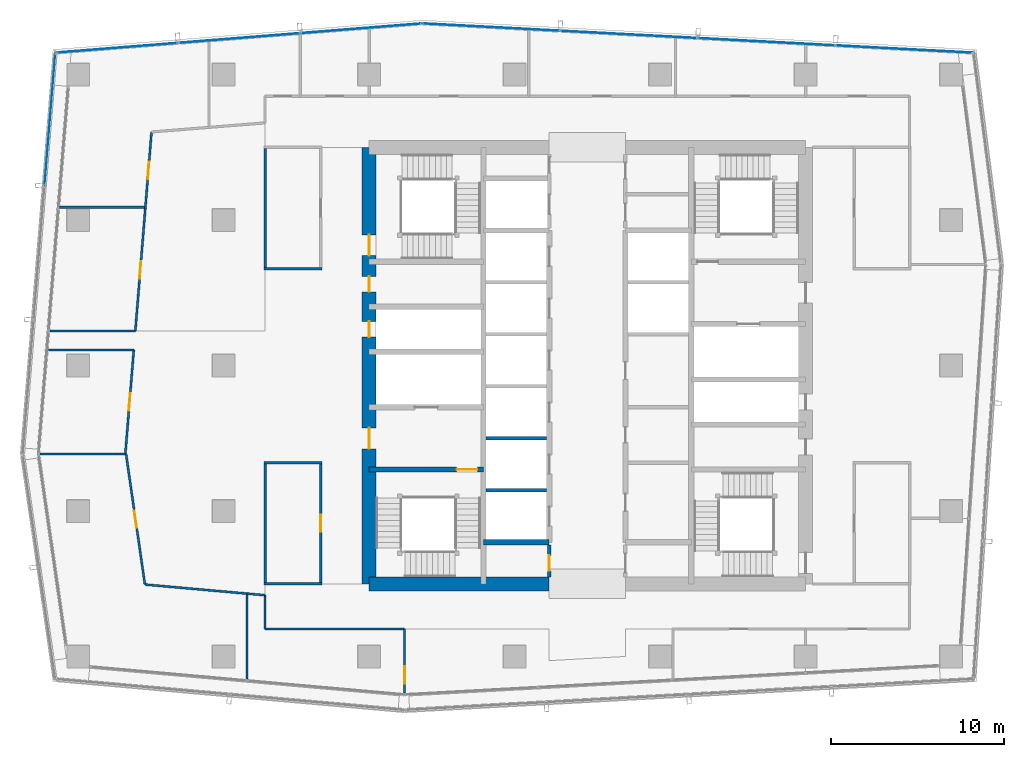
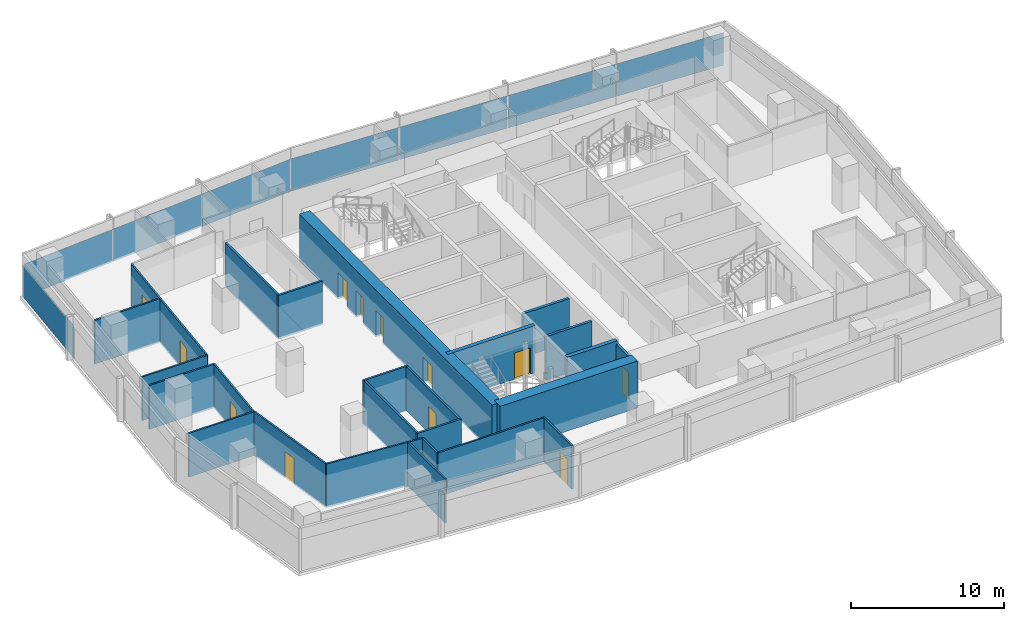
# One storey, part 22 of 29: 27 walls, 12 doors, 8 plates, 12 openings, 3 elements without a shape of their own.
"""IFC4 building model written with IfcOpenShell, lengths in metres."""

from ifc_helpers import new_model, si_unit, direction, frame, frame_2d, origin, origin_2d, place, context, subcontext, project, spatial, rectangle, extrude, material, layer, layer_set, type_object, element, fill, aggregate, save


model = new_model("IFC4")

# Units and contexts
model_context = context("Model", 3, precision=1e-05, world=origin(), true_north=direction((0.0, 1.0)))
body_context = subcontext(model_context, "Body", "Model", "MODEL_VIEW")
ifc_project = project(units=[si_unit("LENGTHUNIT", "METRE"), si_unit("AREAUNIT", "SQUARE_METRE"), si_unit("VOLUMEUNIT", "CUBIC_METRE"), si_unit("PLANEANGLEUNIT", "RADIAN"), si_unit("MASSUNIT", "GRAM", prefix="KILO")], contexts=[model_context])

# Site, building, storey
site_placement = place(None, origin())
site = spatial("IfcSite", under=ifc_project, at=site_placement, CompositionType="ELEMENT")
building_placement = place(site_placement, origin())
building = spatial("IfcBuilding", under=site, at=building_placement, Name="Rekha Terrace Tower", CompositionType="ELEMENT")
storey_placement = place(building_placement, frame((0.0, 0.0, 261.35009765625)))
storey = spatial("IfcBuildingStorey", under=building, at=storey_placement, Name="L66", CompositionType="ELEMENT", Elevation=261.35009765625)

# Curtain wall, plate
ifc_material_1 = material(Name="Aluminium framing", Category="aluminium")
curtain_wall_type_1 = type_object("IfcCurtainWallType", Name="CW2 double skin outer glazing", PredefinedType="USERDEFINED", material=ifc_material_1)
curtain_wall_1_placement = place(storey_placement, origin())
curtain_wall_1 = element("IfcCurtainWall", 1, at=curtain_wall_1_placement, inside=storey, type_object=curtain_wall_type_1, Name="CW2 double skin outer glazing", ObjectType="DOUBLE SKIN OUTER GLAZING", PredefinedType="USERDEFINED")
ifc_material_2 = material(Name="Toughened single glazing 12", Category="glass")
ifc_layer_1 = layer(ifc_material_2, 0.011962890625)
ifc_layer_set_1 = layer_set([ifc_layer_1], Name="Toughened single glazing 12")
plate_type_1 = type_object("IfcPlateType", Name="CW2 jumbo vision panel, toughened single glazing 12", PredefinedType="CURTAIN_PANEL", material=ifc_layer_set_1)
plate_1_placement = place(storey_placement, frame((6.7822265625, 47.813720703125, -0.000244140625), z_axis=(0.0, 0.0, 1.0), x_axis=(-0.081067906816, -0.996708580521, 0.0)))
plate_1 = element("IfcPlate", 2, at=plate_1_placement, type_object=plate_type_1, Name="CW2 panel 1.1", PredefinedType="CURTAIN_PANEL", context=body_context, shape_type="SweptSolid", body=[
    extrude(rectangle(XDim=7.640869140625, YDim=0.011962890625, at=origin_2d()), origin(), (0.0, 0.0, 1.0), 2.60009765625),
])
aggregate(curtain_wall_1, [plate_1])

# Curtain wall, plates
curtain_wall_type_2 = type_object("IfcCurtainWallType", Name="CW3 north unitised glazing", PredefinedType="USERDEFINED", material=ifc_material_1)
curtain_wall_2_placement = place(storey_placement, origin())
curtain_wall_2 = element("IfcCurtainWall", 3, at=curtain_wall_2_placement, inside=storey, type_object=curtain_wall_type_2, Name="CW3 unitised curtain wall", ObjectType="UNITISED CURTAIN WALL", PredefinedType="USERDEFINED")
ifc_material_3 = material(Name="Double-glazed unit 28", Category="glass")
ifc_layer_2 = layer(ifc_material_3, 0.028076171875)
ifc_layer_set_2 = layer_set([ifc_layer_2], Name="Double-glazed unit 28")
plate_type_2 = type_object("IfcPlateType", Name="CW3 jumbo vision panel, double-glazed unit 28", PredefinedType="CURTAIN_PANEL", material=ifc_layer_set_2)
plate_2_placement = place(storey_placement, frame((56.080322265625, 51.871337890625, -0.000244140625), z_axis=(0.0, 0.0, 1.0), x_axis=(-0.998590089005, 0.053083275524, 0.0)))
plate_2 = element("IfcPlate", 4, at=plate_2_placement, type_object=plate_type_2, Name="CW3 panel 1.1", PredefinedType="CURTAIN_PANEL", context=body_context, shape_type="SweptSolid", body=[
    extrude(rectangle(XDim=7.856201171875, YDim=0.028076171875, at=origin_2d()), origin(), (0.0, 0.0, 1.0), 2.60009765625),
])
plate_3_placement = place(storey_placement, frame((48.14794921875, 52.29296875, -0.000244140625), z_axis=(0.0, 0.0, 1.0), x_axis=(-0.998590089005, 0.053083275524, 0.0)))
plate_3 = element("IfcPlate", 5, at=plate_3_placement, type_object=plate_type_2, Name="CW3 panel 2.1", PredefinedType="CURTAIN_PANEL", context=body_context, shape_type="SweptSolid", body=[
    extrude(rectangle(XDim=7.891357421875, YDim=0.028076171875, at=origin_2d()), origin(), (0.0, 0.0, 1.0), 2.60009765625),
])
plate_4_placement = place(storey_placement, frame((40.19775390625, 52.715576171875, -0.000244140625), z_axis=(0.0, 0.0, 1.0), x_axis=(-0.998590089005, 0.053083275524, 0.0)))
plate_4 = element("IfcPlate", 6, at=plate_4_placement, type_object=plate_type_2, Name="CW3 panel 3.1", PredefinedType="CURTAIN_PANEL", context=body_context, shape_type="SweptSolid", body=[
    extrude(rectangle(XDim=7.891357421875, YDim=0.028076171875, at=origin_2d()), origin(), (0.0, 0.0, 1.0), 2.60009765625),
])
plate_5_placement = place(storey_placement, frame((32.230224609375, 53.13916015625, -0.000244140625), z_axis=(0.0, 0.0, 1.0), x_axis=(-0.998590089005, 0.053083275524, 0.0)))
plate_5 = element("IfcPlate", 7, at=plate_5_placement, type_object=plate_type_2, Name="CW3 panel 4.1", PredefinedType="CURTAIN_PANEL", context=body_context, shape_type="SweptSolid", body=[
    extrude(rectangle(XDim=7.92626953125, YDim=0.028076171875, at=origin_2d()), origin(), (0.0, 0.0, 1.0), 2.60009765625),
])
aggregate(curtain_wall_2, [plate_2, plate_3, plate_4, plate_5])

curtain_wall_3_placement = place(storey_placement, origin())
curtain_wall_3 = element("IfcCurtainWall", 8, at=curtain_wall_3_placement, inside=storey, type_object=curtain_wall_type_2, Name="CW3 unitised curtain wall", ObjectType="UNITISED CURTAIN WALL", PredefinedType="USERDEFINED")
plate_6_placement = place(storey_placement, frame((24.732421875, 53.0673828125, -0.000244140625), z_axis=(0.0, 0.0, 1.0), x_axis=(-0.996836058026, -0.07948505154, 0.0)))
plate_6 = element("IfcPlate", 9, at=plate_6_placement, type_object=plate_type_2, Name="CW3 panel 1.1", PredefinedType="CURTAIN_PANEL", context=body_context, shape_type="SweptSolid", body=[
    extrude(rectangle(XDim=6.963134765625, YDim=0.028076171875, at=origin_2d()), origin(), (0.0, 0.0, 1.0), 2.60009765625),
])
plate_7_placement = place(storey_placement, frame((17.7041015625, 52.5068359375, -0.000244140625), z_axis=(0.0, 0.0, 1.0), x_axis=(-0.996836058026, -0.07948505154, 0.0)))
plate_7 = element("IfcPlate", 10, at=plate_7_placement, type_object=plate_type_2, Name="CW3 panel 2.1", PredefinedType="CURTAIN_PANEL", context=body_context, shape_type="SweptSolid", body=[
    extrude(rectangle(XDim=6.998046875, YDim=0.028076171875, at=origin_2d()), origin(), (0.0, 0.0, 1.0), 2.60009765625),
])
plate_8_placement = place(storey_placement, frame((10.67578125, 51.946533203125, -0.000244140625), z_axis=(0.0, 0.0, 1.0), x_axis=(-0.996836058026, -0.07948505154, 0.0)))
plate_8 = element("IfcPlate", 11, at=plate_8_placement, type_object=plate_type_2, Name="CW3 panel 3.1", PredefinedType="CURTAIN_PANEL", context=body_context, shape_type="SweptSolid", body=[
    extrude(rectangle(XDim=6.963134765625, YDim=0.028076171875, at=origin_2d()), origin(), (0.0, 0.0, 1.0), 2.60009765625),
])
aggregate(curtain_wall_3, [plate_6, plate_7, plate_8])

# Wall
ifc_material_4 = material(Name="Concrete M60", Category="concrete")
ifc_layer_3 = layer(ifc_material_4, 0.300048828125)
ifc_layer_set_3 = layer_set([ifc_layer_3], Name="Concrete M60")
wall_type_1 = type_object("IfcWallType", Name="CI5 300 core internal shear wall", PredefinedType="SHEAR", material=ifc_layer_set_3)
wall_1_placement = place(storey_placement, frame((31.800048828125, 23.39990234375, 0.0), z_axis=(0.0, 0.0, 1.0), x_axis=(1.0, 0.0, 0.0)))
element("IfcWall", 12, at=wall_1_placement, inside=storey, type_object=wall_type_1, Name="Core wall Y234W L66", PredefinedType="SHEAR", context=body_context, shape_type="SweptSolid", body=[
    extrude(rectangle(XDim=3.800048828125, YDim=0.300048828125, at=frame_2d((1.89990234375, 0.0))), origin(), (0.0, 0.0, 1.0), 3.75),
])

# Wall, opening, door
wall_2_placement = place(storey_placement, frame((25.199951171875, 27.60009765625, 0.0), z_axis=(0.0, 0.0, 1.0), x_axis=(1.0, 0.0, 0.0)))
wall_2 = element("IfcWall", 13, at=wall_2_placement, inside=storey, type_object=wall_type_1, Name="Core wall Y276W L66", PredefinedType="SHEAR", context=body_context, shape_type="SweptSolid", body=[
    extrude(rectangle(XDim=6.60009765625, YDim=0.300048828125, at=frame_2d((3.300048828125, 0.0))), origin(), (0.0, 0.0, 1.0), 3.75),
])
opening_1_placement = place(wall_2_placement, frame((5.050048828125, 0.0, 0.0)))
opening_1 = element("IfcOpeningElement", 14, at=opening_1_placement, cuts=wall_2, Name="Opening D1", PredefinedType="OPENING", context=body_context, shape_type="SweptSolid", body=[
    extrude(rectangle(XDim=1.199951171875, YDim=2.10009765625, at=frame_2d((0.60009765625, 1.050048828125))), frame((0.0, 0.159912109375, 0.0), z_axis=(0.0, -1.0, 0.0), x_axis=(1.0, 0.0, 0.0)), (0.0, 0.0, 1.0), 0.320068359375),
])
ifc_material_5 = material(Name="Steel fire door", Category="steel")
door_type_1 = type_object("IfcDoorType", Name="D1 1200x2100 stair fire door", OperationType="SINGLE_SWING_RIGHT", PredefinedType="DOOR", material=ifc_material_5)
door_1_placement = place(opening_1_placement, origin())
door_1 = element("IfcDoor", 15, at=door_1_placement, inside=storey, type_object=door_type_1, Name="Stair ST1 door L66", OperationType="SINGLE_SWING_RIGHT", OverallHeight=2.10009765625, OverallWidth=1.199951171875, PredefinedType="DOOR", context=body_context, shape_type="SweptSolid", body=[
    extrude(rectangle(XDim=1.199951171875, YDim=2.10009765625, at=frame_2d((0.60009765625, 1.050048828125))), frame((0.0, 0.02490234375, 0.0), z_axis=(0.0, -1.0, 0.0), x_axis=(1.0, 0.0, 0.0)), (0.0, 0.0, 1.0), 0.050048828125),
])
fill(opening_1, door_1)

# Wall
ifc_layer_4 = layer(ifc_material_4, 0.800048828125)
ifc_layer_set_4 = layer_set([ifc_layer_4], Name="Concrete M60")
wall_type_2 = type_object("IfcWallType", Name="SW5 800 core outer shear wall", PredefinedType="SHEAR", material=ifc_layer_set_4)
wall_3_placement = place(storey_placement, frame((25.199951171875, 21.0, 0.0), z_axis=(0.0, 0.0, 1.0), x_axis=(1.0, 0.0, 0.0)))
element("IfcWall", 16, at=wall_3_placement, inside=storey, type_object=wall_type_2, Name="Core wall S1 L66", PredefinedType="SHEAR", context=body_context, shape_type="SweptSolid", body=[
    extrude(rectangle(XDim=10.400146484375, YDim=0.800048828125, at=frame_2d((5.2001953125, 0.0))), origin(), (0.0, 0.0, 1.0), 3.75),
])

# Wall, openings, doors
wall_4_placement = place(storey_placement, frame((25.199951171875, 21.0, 0.0), z_axis=(0.0, 0.0, 1.0), x_axis=(0.0, 1.0, 0.0)))
wall_4 = element("IfcWall", 17, at=wall_4_placement, inside=storey, type_object=wall_type_2, Name="Core wall W L66", PredefinedType="SHEAR", context=body_context, shape_type="SweptSolid", body=[
    extrude(rectangle(XDim=25.199951171875, YDim=0.800048828125, at=frame_2d((12.60009765625, 0.0))), origin(), (0.0, 0.0, 1.0), 3.75),
])
opening_2_placement = place(wall_4_placement, frame((7.800048828125, 0.0, 0.0)))
opening_2 = element("IfcOpeningElement", 18, at=opening_2_placement, cuts=wall_4, Name="Opening D2", PredefinedType="OPENING", context=body_context, shape_type="SweptSolid", body=[
    extrude(rectangle(XDim=1.199951171875, YDim=2.10009765625, at=frame_2d((0.60009765625, 1.050048828125))), frame((0.0, 0.409912109375, 0.0), z_axis=(0.0, -1.0, 0.0), x_axis=(1.0, 0.0, 0.0)), (0.0, 0.0, 1.0), 0.820068359375),
])
opening_3_placement = place(wall_4_placement, frame((14.25, 0.0, 0.0)))
opening_3 = element("IfcOpeningElement", 19, at=opening_3_placement, cuts=wall_4, Name="Opening D5", PredefinedType="OPENING", context=body_context, shape_type="SweptSolid", body=[
    extrude(rectangle(XDim=0.89990234375, YDim=2.10009765625, at=frame_2d((0.449951171875, 1.050048828125))), frame((0.0, 0.409912109375, 0.0), z_axis=(0.0, -1.0, 0.0), x_axis=(1.0, 0.0, 0.0)), (0.0, 0.0, 1.0), 0.820068359375),
])
opening_4_placement = place(wall_4_placement, frame((16.85009765625, 0.0, 0.0)))
opening_4 = element("IfcOpeningElement", 20, at=opening_4_placement, cuts=wall_4, Name="Opening D5", PredefinedType="OPENING", context=body_context, shape_type="SweptSolid", body=[
    extrude(rectangle(XDim=0.89990234375, YDim=2.10009765625, at=frame_2d((0.449951171875, 1.050048828125))), frame((0.0, 0.409912109375, 0.0), z_axis=(0.0, -1.0, 0.0), x_axis=(1.0, 0.0, 0.0)), (0.0, 0.0, 1.0), 0.820068359375),
])
opening_5_placement = place(wall_4_placement, frame((18.949951171875, 0.0, 0.0)))
opening_5 = element("IfcOpeningElement", 21, at=opening_5_placement, cuts=wall_4, Name="Opening D1", PredefinedType="OPENING", context=body_context, shape_type="SweptSolid", body=[
    extrude(rectangle(XDim=1.199951171875, YDim=2.10009765625, at=frame_2d((0.60009765625, 1.050048828125))), frame((0.0, 0.409912109375, 0.0), z_axis=(0.0, -1.0, 0.0), x_axis=(1.0, 0.0, 0.0)), (0.0, 0.0, 1.0), 0.820068359375),
])
door_2_placement = place(opening_5_placement, origin())
door_2 = element("IfcDoor", 22, at=door_2_placement, inside=storey, type_object=door_type_1, Name="Stair ST4 door L66", OperationType="SINGLE_SWING_RIGHT", OverallHeight=2.10009765625, OverallWidth=1.199951171875, PredefinedType="DOOR", context=body_context, shape_type="SweptSolid", body=[
    extrude(rectangle(XDim=1.199951171875, YDim=2.10009765625, at=frame_2d((0.60009765625, 1.050048828125))), frame((0.0, 0.02490234375, 0.0), z_axis=(0.0, -1.0, 0.0), x_axis=(1.0, 0.0, 0.0)), (0.0, 0.0, 1.0), 0.050048828125),
])
fill(opening_5, door_2)
door_type_2 = type_object("IfcDoorType", Name="D2 1200x2100 firefighting lobby door", OperationType="SINGLE_SWING_LEFT", PredefinedType="DOOR", material=ifc_material_5)
door_3_placement = place(opening_2_placement, origin())
door_3 = element("IfcDoor", 23, at=door_3_placement, inside=storey, type_object=door_type_2, Name="Door flb1 L66", OperationType="SINGLE_SWING_LEFT", OverallHeight=2.10009765625, OverallWidth=1.199951171875, PredefinedType="DOOR", context=body_context, shape_type="SweptSolid", body=[
    extrude(rectangle(XDim=1.199951171875, YDim=2.10009765625, at=frame_2d((0.60009765625, 1.050048828125))), frame((0.0, 0.02490234375, 0.0), z_axis=(0.0, -1.0, 0.0), x_axis=(1.0, 0.0, 0.0)), (0.0, 0.0, 1.0), 0.050048828125),
])
fill(opening_2, door_3)
door_type_3 = type_object("IfcDoorType", Name="D5 900x2100 riser access door", OperationType="SINGLE_SWING_LEFT", PredefinedType="DOOR", material=ifc_material_5)
door_4_placement = place(opening_3_placement, origin())
door_4 = element("IfcDoor", 24, at=door_4_placement, inside=storey, type_object=door_type_3, Name="Door rs1 L66", OperationType="SINGLE_SWING_LEFT", OverallHeight=2.10009765625, OverallWidth=0.89990234375, PredefinedType="DOOR", context=body_context, shape_type="SweptSolid", body=[
    extrude(rectangle(XDim=0.89990234375, YDim=2.10009765625, at=frame_2d((0.449951171875, 1.050048828125))), frame((0.0, 0.02490234375, 0.0), z_axis=(0.0, -1.0, 0.0), x_axis=(1.0, 0.0, 0.0)), (0.0, 0.0, 1.0), 0.050048828125),
])
fill(opening_3, door_4)
door_5_placement = place(opening_4_placement, origin())
door_5 = element("IfcDoor", 25, at=door_5_placement, inside=storey, type_object=door_type_3, Name="Door elw L66", OperationType="SINGLE_SWING_LEFT", OverallHeight=2.10009765625, OverallWidth=0.89990234375, PredefinedType="DOOR", context=body_context, shape_type="SweptSolid", body=[
    extrude(rectangle(XDim=0.89990234375, YDim=2.10009765625, at=frame_2d((0.449951171875, 1.050048828125))), frame((0.0, 0.02490234375, 0.0), z_axis=(0.0, -1.0, 0.0), x_axis=(1.0, 0.0, 0.0)), (0.0, 0.0, 1.0), 0.050048828125),
])
fill(opening_4, door_5)

# Walls
ifc_material_6 = material(Name="Concrete block masonry, 1 hour", Category="masonry")
ifc_layer_5 = layer(ifc_material_6, 0.14990234375)
ifc_layer_set_5 = layer_set([ifc_layer_5], Name="Concrete block masonry, 1 hour")
wall_type_3 = type_object("IfcWallType", Name="WP2 150 tenancy partition", PredefinedType="PARTITIONING", material=ifc_layer_set_5)
wall_5_placement = place(storey_placement, frame((19.125, 39.199951171875, 0.0), z_axis=(0.0, 0.0, 1.0), x_axis=(1.0, 0.0, 0.0)))
element("IfcWall", 26, at=wall_5_placement, inside=storey, type_object=wall_type_3, Name="Women's WC wall L66", PredefinedType="PARTITIONING", context=body_context, shape_type="SweptSolid", body=[
    extrude(rectangle(XDim=3.35009765625, YDim=0.14990234375, at=frame_2d((1.675048828125, 0.0))), origin(), (0.0, 0.0, 1.0), 3.5),
])
wall_6_placement = place(storey_placement, frame((19.199951171875, 39.27490234375, 0.0), z_axis=(0.0, 0.0, 1.0), x_axis=(0.0, 1.0, 0.0)))
element("IfcWall", 27, at=wall_6_placement, inside=storey, type_object=wall_type_3, Name="Women's WC wall L66", PredefinedType="PARTITIONING", context=body_context, shape_type="SweptSolid", body=[
    extrude(rectangle(XDim=6.85009765625, YDim=0.14990234375, at=frame_2d((3.425048828125, 0.0))), origin(), (0.0, 0.0, 1.0), 3.5),
])
for number, where, z_axis, x_axis, name in (
    (28, (19.125, 21.0, 0.0), (0.0, 0.0, 1.0), (1.0, 0.0, 0.0), "Men's WC wall L66"),
    (29, (19.125, 28.0, 0.0), (0.0, 0.0, 1.0), (1.0, 0.0, 0.0), "Men's WC wall L66"),
):
    element("IfcWall", number, at=place(storey_placement, frame(where, z_axis=z_axis, x_axis=x_axis)), inside=storey, type_object=wall_type_3, Name=name, PredefinedType="PARTITIONING", context=body_context, shape_type="SweptSolid", body=[
        extrude(rectangle(XDim=3.35009765625, YDim=0.14990234375, at=frame_2d((1.675048828125, 0.0))), origin(), (0.0, 0.0, 1.0), 3.5),
    ])
wall_7_placement = place(storey_placement, frame((19.199951171875, 21.074951171875, 0.0), z_axis=(0.0, 0.0, 1.0), x_axis=(0.0, 1.0, 0.0)))
element("IfcWall", 30, at=wall_7_placement, inside=storey, type_object=wall_type_3, Name="Men's WC wall L66", PredefinedType="PARTITIONING", context=body_context, shape_type="SweptSolid", body=[
    extrude(rectangle(XDim=6.85009765625, YDim=0.14990234375, at=frame_2d((3.425048828125, 0.0))), origin(), (0.0, 0.0, 1.0), 3.5),
])

# Wall, opening, door
wall_8_placement = place(storey_placement, frame((22.39990234375, 21.074951171875, 0.0), z_axis=(0.0, 0.0, 1.0), x_axis=(0.0, 1.0, 0.0)))
wall_8 = element("IfcWall", 31, at=wall_8_placement, inside=storey, type_object=wall_type_3, Name="Men's WC wall L66", PredefinedType="PARTITIONING", context=body_context, shape_type="SweptSolid", body=[
    extrude(rectangle(XDim=6.85009765625, YDim=0.14990234375, at=frame_2d((3.425048828125, 0.0))), origin(), (0.0, 0.0, 1.0), 3.5),
])
opening_6_placement = place(wall_8_placement, frame((2.925048828125, 0.0, 0.0)))
opening_6 = element("IfcOpeningElement", 32, at=opening_6_placement, cuts=wall_8, Name="Opening D3", PredefinedType="OPENING", context=body_context, shape_type="SweptSolid", body=[
    extrude(rectangle(XDim=1.0, YDim=2.10009765625, at=frame_2d((0.5, 1.050048828125))), frame((0.0, 0.0849609375, 0.0), z_axis=(0.0, -1.0, 0.0), x_axis=(1.0, 0.0, 0.0)), (0.0, 0.0, 1.0), 0.169921875),
])
ifc_material_7 = material(Name="Laminated timber fire door", Category="wood")
door_type_4 = type_object("IfcDoorType", Name="D3 1000x2100 WC door", OperationType="SINGLE_SWING_LEFT", PredefinedType="DOOR", material=ifc_material_7)
door_6_placement = place(opening_6_placement, origin())
door_6 = element("IfcDoor", 33, at=door_6_placement, inside=storey, type_object=door_type_4, Name="Door men's wc L66", OperationType="SINGLE_SWING_LEFT", OverallHeight=2.10009765625, OverallWidth=1.0, PredefinedType="DOOR", context=body_context, shape_type="SweptSolid", body=[
    extrude(rectangle(XDim=1.0, YDim=2.10009765625, at=frame_2d((0.5, 1.050048828125))), frame((0.0, 0.02490234375, 0.0), z_axis=(0.0, -1.0, 0.0), x_axis=(1.0, 0.0, 0.0)), (0.0, 0.0, 1.0), 0.050048828125),
])
fill(opening_6, door_6)

# Wall
ifc_material_8 = material(Name="Two layers of fire-rated gypsum board each side on steel studs, acoustic quilt, 1 hour", Category="steel")
ifc_layer_6 = layer(ifc_material_8, 0.125)
ifc_layer_set_6 = layer_set([ifc_layer_6], Name="Two layers of fire-rated gypsum board each side on steel studs, acoustic quilt, 1 hour")
wall_type_4 = type_object("IfcWallType", Name="WP3 125 office partition", PredefinedType="PARTITIONING", material=ifc_layer_set_6)
wall_9_placement = place(storey_placement, frame((12.22607421875, 42.741943359375, 0.0), z_axis=(0.0, 0.0, 1.0), x_axis=(-1.0, 0.0, 0.0)))
element("IfcWall", 34, at=wall_9_placement, inside=storey, type_object=wall_type_4, Name="Partition L66-12", PredefinedType="PARTITIONING", context=body_context, shape_type="SweptSolid", body=[
    extrude(rectangle(XDim=4.903076171875, YDim=0.125, at=frame_2d((2.45166015625, 0.0))), origin(), (0.0, 0.0, 1.0), 3.5),
])

# Wall, opening, door
wall_10_placement = place(storey_placement, frame((12.64306640625, 47.0869140625, 0.0), z_axis=(0.0, 0.0, 1.0), x_axis=(-0.081240627764, -0.996694517092, 0.0)))
wall_10 = element("IfcWall", 35, at=wall_10_placement, inside=storey, type_object=wall_type_4, Name="Partition L66-12", PredefinedType="PARTITIONING", context=body_context, shape_type="SweptSolid", body=[
    extrude(rectangle(XDim=4.444580078125, YDim=0.125, at=frame_2d((2.22216796875, 0.0))), origin(), (0.0, 0.0, 1.0), 3.5),
])
opening_7_placement = place(wall_10_placement, frame((1.721923828125, 0.0, 0.0)))
opening_7 = element("IfcOpeningElement", 36, at=opening_7_placement, cuts=wall_10, Name="Opening D9", PredefinedType="OPENING", context=body_context, shape_type="SweptSolid", body=[
    extrude(rectangle(XDim=1.0, YDim=2.10009765625, at=frame_2d((0.5, 1.050048828125))), frame((0.0, 0.072509765625, 0.0), z_axis=(0.0, -1.0, 0.0), x_axis=(1.0, 0.0, 0.0)), (0.0, 0.0, 1.0), 0.14501953125),
])
ifc_material_9 = material(Name="Timber fire door", Category="wood")
door_type_5 = type_object("IfcDoorType", Name="D9 1000x2100 office door", OperationType="SINGLE_SWING_LEFT", PredefinedType="DOOR", material=ifc_material_9)
door_7_placement = place(opening_7_placement, origin())
door_7 = element("IfcDoor", 37, at=door_7_placement, inside=storey, type_object=door_type_5, Name="Door director's office L66", OperationType="SINGLE_SWING_LEFT", OverallHeight=2.10009765625, OverallWidth=1.0, PredefinedType="DOOR", context=body_context, shape_type="SweptSolid", body=[
    extrude(rectangle(XDim=1.0, YDim=2.10009765625, at=frame_2d((0.5, 1.050048828125))), frame((0.0, 0.02490234375, 0.0), z_axis=(0.0, -1.0, 0.0), x_axis=(1.0, 0.0, 0.0)), (0.0, 0.0, 1.0), 0.050048828125),
])
fill(opening_7, door_7)

wall_11_placement = place(storey_placement, frame((12.281982421875, 42.656005859375, 0.0), z_axis=(0.0, 0.0, 1.0), x_axis=(-0.08110159124, -0.996705840205, 0.0)))
wall_11 = element("IfcWall", 38, at=wall_11_placement, inside=storey, type_object=wall_type_4, Name="Partition L66-13", PredefinedType="PARTITIONING", context=body_context, shape_type="SweptSolid", body=[
    extrude(rectangle(XDim=7.08935546875, YDim=0.125, at=frame_2d((3.544677734375, 0.0))), origin(), (0.0, 0.0, 1.0), 3.5),
])
opening_8_placement = place(wall_11_placement, frame((3.044921875, 0.0, 0.0)))
opening_8 = element("IfcOpeningElement", 39, at=opening_8_placement, cuts=wall_11, Name="Opening D9", PredefinedType="OPENING", context=body_context, shape_type="SweptSolid", body=[
    extrude(rectangle(XDim=1.0, YDim=2.10009765625, at=frame_2d((0.5, 1.050048828125))), frame((0.0, 0.072509765625, 0.0), z_axis=(0.0, -1.0, 0.0), x_axis=(1.0, 0.0, 0.0)), (0.0, 0.0, 1.0), 0.14501953125),
])
door_8_placement = place(opening_8_placement, origin())
door_8 = element("IfcDoor", 40, at=door_8_placement, inside=storey, type_object=door_type_5, Name="Door breakout lounge L66", OperationType="SINGLE_SWING_LEFT", OverallHeight=2.10009765625, OverallWidth=1.0, PredefinedType="DOOR", context=body_context, shape_type="SweptSolid", body=[
    extrude(rectangle(XDim=1.0, YDim=2.10009765625, at=frame_2d((0.5, 1.050048828125))), frame((0.0, 0.02490234375, 0.0), z_axis=(0.0, -1.0, 0.0), x_axis=(1.0, 0.0, 0.0)), (0.0, 0.0, 1.0), 0.050048828125),
])
fill(opening_8, door_8)

# Walls
wall_12_placement = place(storey_placement, frame((11.70703125, 35.590087890625, 0.0), z_axis=(0.0, 0.0, 1.0), x_axis=(-1.0, 0.0, 0.0)))
element("IfcWall", 41, at=wall_12_placement, inside=storey, type_object=wall_type_4, Name="Partition L66-13", PredefinedType="PARTITIONING", context=body_context, shape_type="SweptSolid", body=[
    extrude(rectangle(XDim=4.93603515625, YDim=0.125, at=frame_2d((2.468017578125, 0.0))), origin(), (0.0, 0.0, 1.0), 3.5),
])
wall_13_placement = place(storey_placement, frame((6.68310546875, 34.509033203125, 0.0), z_axis=(0.0, 0.0, 1.0), x_axis=(1.0, 0.0, 0.0)))
element("IfcWall", 42, at=wall_13_placement, inside=storey, type_object=wall_type_4, Name="Partition L66-14", PredefinedType="PARTITIONING", context=body_context, shape_type="SweptSolid", body=[
    extrude(rectangle(XDim=4.935791015625, YDim=0.125, at=frame_2d((2.4677734375, 0.0))), origin(), (0.0, 0.0, 1.0), 3.5),
])

# Wall, opening, door
wall_14_placement = place(storey_placement, frame((11.618896484375, 34.509033203125, 0.0), z_axis=(0.0, 0.0, 1.0), x_axis=(-0.081003722278, -0.99671379893, 0.0)))
wall_14 = element("IfcWall", 43, at=wall_14_placement, inside=storey, type_object=wall_type_4, Name="Partition L66-14", PredefinedType="PARTITIONING", context=body_context, shape_type="SweptSolid", body=[
    extrude(rectangle(XDim=6.036865234375, YDim=0.125, at=frame_2d((3.0185546875, 0.0))), origin(), (0.0, 0.0, 1.0), 3.5),
])
opening_9_placement = place(wall_14_placement, frame((2.51806640625, 0.0, 0.0)))
opening_9 = element("IfcOpeningElement", 44, at=opening_9_placement, cuts=wall_14, Name="Opening D9", PredefinedType="OPENING", context=body_context, shape_type="SweptSolid", body=[
    extrude(rectangle(XDim=1.0, YDim=2.10009765625, at=frame_2d((0.5, 1.050048828125))), frame((0.0, 0.072509765625, 0.0), z_axis=(0.0, -1.0, 0.0), x_axis=(1.0, 0.0, 0.0)), (0.0, 0.0, 1.0), 0.14501953125),
])
door_9_placement = place(opening_9_placement, origin())
door_9 = element("IfcDoor", 45, at=door_9_placement, inside=storey, type_object=door_type_5, Name="Door meeting room L66", OperationType="SINGLE_SWING_LEFT", OverallHeight=2.10009765625, OverallWidth=1.0, PredefinedType="DOOR", context=body_context, shape_type="SweptSolid", body=[
    extrude(rectangle(XDim=1.0, YDim=2.10009765625, at=frame_2d((0.5, 1.050048828125))), frame((0.0, 0.02490234375, 0.0), z_axis=(0.0, -1.0, 0.0), x_axis=(1.0, 0.0, 0.0)), (0.0, 0.0, 1.0), 0.050048828125),
])
fill(opening_9, door_9)

# Wall
wall_15_placement = place(storey_placement, frame((11.1298828125, 28.491943359375, 0.0), z_axis=(0.0, 0.0, 1.0), x_axis=(-1.0, 0.0, 0.0)))
element("IfcWall", 46, at=wall_15_placement, inside=storey, type_object=wall_type_4, Name="Partition L66-14", PredefinedType="PARTITIONING", context=body_context, shape_type="SweptSolid", body=[
    extrude(rectangle(XDim=4.928955078125, YDim=0.125, at=frame_2d((2.46435546875, 0.0))), origin(), (0.0, 0.0, 1.0), 3.5),
])

# Wall, opening, door
wall_16_placement = place(storey_placement, frame((11.173095703125, 28.488037109375, 0.0), z_axis=(0.0, 0.0, 1.0), x_axis=(0.143061748966, -0.989713764673, 0.0)))
wall_16 = element("IfcWall", 47, at=wall_16_placement, inside=storey, type_object=wall_type_4, Name="Partition L66-15", PredefinedType="PARTITIONING", context=body_context, shape_type="SweptSolid", body=[
    extrude(rectangle(XDim=7.604248046875, YDim=0.125, at=frame_2d((3.80224609375, 0.0))), origin(), (0.0, 0.0, 1.0), 3.5),
])
opening_10_placement = place(wall_16_placement, frame((3.301025390625, 0.0, 0.0)))
opening_10 = element("IfcOpeningElement", 48, at=opening_10_placement, cuts=wall_16, Name="Opening D9", PredefinedType="OPENING", context=body_context, shape_type="SweptSolid", body=[
    extrude(rectangle(XDim=1.0, YDim=2.10009765625, at=frame_2d((0.5, 1.050048828125))), frame((0.0, 0.072509765625, 0.0), z_axis=(0.0, -1.0, 0.0), x_axis=(1.0, 0.0, 0.0)), (0.0, 0.0, 1.0), 0.14501953125),
])
door_10_placement = place(opening_10_placement, origin())
door_10 = element("IfcDoor", 49, at=door_10_placement, inside=storey, type_object=door_type_5, Name="Door director's office L66", OperationType="SINGLE_SWING_LEFT", OverallHeight=2.10009765625, OverallWidth=1.0, PredefinedType="DOOR", context=body_context, shape_type="SweptSolid", body=[
    extrude(rectangle(XDim=1.0, YDim=2.10009765625, at=frame_2d((0.5, 1.050048828125))), frame((0.0, 0.02490234375, 0.0), z_axis=(0.0, -1.0, 0.0), x_axis=(1.0, 0.0, 0.0)), (0.0, 0.0, 1.0), 0.050048828125),
])
fill(opening_10, door_10)

# Walls
wall_17_placement = place(storey_placement, frame((12.260986328125, 20.9619140625, 0.0), z_axis=(0.0, 0.0, 1.0), x_axis=(0.996078951833, -0.08846876124, 0.0)))
element("IfcWall", 50, at=wall_17_placement, inside=storey, type_object=wall_type_4, Name="Partition L66-15", PredefinedType="PARTITIONING", context=body_context, shape_type="SweptSolid", body=[
    extrude(rectangle(XDim=5.9111328125, YDim=0.125, at=frame_2d((2.95556640625, 0.0))), origin(), (0.0, 0.0, 1.0), 3.5),
])
wall_18_placement = place(storey_placement, frame((18.14892578125, 20.43896484375, 0.0), z_axis=(0.0, 0.0, 1.0), x_axis=(0.0, -1.0, 0.0)))
element("IfcWall", 51, at=wall_18_placement, inside=storey, type_object=wall_type_4, Name="Partition L66-15", PredefinedType="PARTITIONING", context=body_context, shape_type="SweptSolid", body=[
    extrude(rectangle(XDim=4.93896484375, YDim=0.125, at=frame_2d((2.469482421875, 0.0))), origin(), (0.0, 0.0, 1.0), 3.5),
])
wall_19_placement = place(storey_placement, frame((19.199951171875, 18.39990234375, 0.0), z_axis=(0.0, 0.0, 1.0), x_axis=(1.0, 0.0, 0.0)))
element("IfcWall", 52, at=wall_19_placement, inside=storey, type_object=wall_type_4, Name="Partition L66-16", PredefinedType="PARTITIONING", context=body_context, shape_type="SweptSolid", body=[
    extrude(rectangle(XDim=8.053955078125, YDim=0.125, at=frame_2d((4.02685546875, 0.0))), origin(), (0.0, 0.0, 1.0), 3.5),
])

# Wall, opening, door
wall_20_placement = place(storey_placement, frame((27.25390625, 18.39990234375, 0.0), z_axis=(0.0, 0.0, 1.0), x_axis=(0.0, -1.0, 0.0)))
wall_20 = element("IfcWall", 53, at=wall_20_placement, inside=storey, type_object=wall_type_4, Name="Partition L66-16", PredefinedType="PARTITIONING", context=body_context, shape_type="SweptSolid", body=[
    extrude(rectangle(XDim=3.704833984375, YDim=0.125, at=frame_2d((1.8525390625, 0.0))), origin(), (0.0, 0.0, 1.0), 3.5),
])
opening_11_placement = place(wall_20_placement, frame((2.153076171875, 0.0, 0.0)))
opening_11 = element("IfcOpeningElement", 54, at=opening_11_placement, cuts=wall_20, Name="Opening D9", PredefinedType="OPENING", context=body_context, shape_type="SweptSolid", body=[
    extrude(rectangle(XDim=1.0, YDim=2.10009765625, at=frame_2d((0.5, 1.050048828125))), frame((0.0, 0.072509765625, 0.0), z_axis=(0.0, -1.0, 0.0), x_axis=(1.0, 0.0, 0.0)), (0.0, 0.0, 1.0), 0.14501953125),
])
door_11_placement = place(opening_11_placement, origin())
door_11 = element("IfcDoor", 55, at=door_11_placement, inside=storey, type_object=door_type_5, Name="Door breakout lounge L66", OperationType="SINGLE_SWING_LEFT", OverallHeight=2.10009765625, OverallWidth=1.0, PredefinedType="DOOR", context=body_context, shape_type="SweptSolid", body=[
    extrude(rectangle(XDim=1.0, YDim=2.10009765625, at=frame_2d((0.5, 1.050048828125))), frame((0.0, 0.02490234375, 0.0), z_axis=(0.0, -1.0, 0.0), x_axis=(1.0, 0.0, 0.0)), (0.0, 0.0, 1.0), 0.050048828125),
])
fill(opening_11, door_11)

# Walls
wall_21_placement = place(storey_placement, frame((18.14990234375, 20.43896484375, 0.0), z_axis=(0.0, 0.0, 1.0), x_axis=(0.996099374617, -0.088238517026, 0.0)))
element("IfcWall", 56, at=wall_21_placement, inside=storey, type_object=wall_type_4, Name="Partition L66-16", PredefinedType="PARTITIONING", context=body_context, shape_type="SweptSolid", body=[
    extrude(rectangle(XDim=1.05419921875, YDim=0.125, at=frame_2d((0.527099609375, 0.0))), origin(), (0.0, 0.0, 1.0), 3.5),
])
wall_22_placement = place(storey_placement, frame((19.199951171875, 20.345947265625, 0.0), z_axis=(0.0, 0.0, 1.0), x_axis=(0.0, -1.0, 0.0)))
element("IfcWall", 57, at=wall_22_placement, inside=storey, type_object=wall_type_4, Name="Partition L66-16", PredefinedType="PARTITIONING", context=body_context, shape_type="SweptSolid", body=[
    extrude(rectangle(XDim=1.946044921875, YDim=0.125, at=frame_2d((0.97314453125, 0.0))), origin(), (0.0, 0.0, 1.0), 3.5),
])
ifc_material_10 = material(Name="Solid concrete block masonry, 2 hour", Category="masonry")
ifc_layer_7 = layer(ifc_material_10, 0.199951171875)
ifc_layer_set_7 = layer_set([ifc_layer_7], Name="Solid concrete block masonry, 2 hour")
wall_type_5 = type_object("IfcWallType", Name="WS1 200 stair and shaft enclosure", PredefinedType="PARTITIONING", material=ifc_layer_set_7)
for number, where, z_axis, x_axis, name in (
    (58, (31.949951171875, 26.39990234375, 0.0), (0.0, 0.0, 1.0), (1.0, 0.0, 0.0), "Lift shaft divider L66"),
    (59, (31.949951171875, 29.39990234375, 0.0), (0.0, 0.0, 1.0), (1.0, 0.0, 0.0), "Lift shaft divider L66"),
):
    element("IfcWall", number, at=place(storey_placement, frame(where, z_axis=z_axis, x_axis=x_axis)), inside=storey, type_object=wall_type_5, Name=name, PredefinedType="PARTITIONING", context=body_context, shape_type="SweptSolid", body=[
        extrude(rectangle(XDim=3.5, YDim=0.199951171875, at=frame_2d((1.75, 0.0))), origin(), (0.0, 0.0, 1.0), 3.5),
    ])

# Wall, opening, door
wall_23_placement = place(storey_placement, frame((35.60009765625, 21.39990234375, 0.0), z_axis=(0.0, 0.0, 1.0), x_axis=(0.0, 1.0, 0.0)))
wall_23 = element("IfcWall", 60, at=wall_23_placement, inside=storey, type_object=wall_type_5, Name="Core partition west L66", PredefinedType="PARTITIONING", context=body_context, shape_type="SweptSolid", body=[
    extrude(rectangle(XDim=1.85009765625, YDim=0.199951171875, at=frame_2d((0.925048828125, 0.0))), origin(), (0.0, 0.0, 1.0), 3.5),
])
opening_12_placement = place(wall_23_placement, frame((0.35009765625, 0.0, 0.0)))
opening_12 = element("IfcOpeningElement", 61, at=opening_12_placement, cuts=wall_23, Name="Opening D5", PredefinedType="OPENING", context=body_context, shape_type="SweptSolid", body=[
    extrude(rectangle(XDim=0.89990234375, YDim=2.10009765625, at=frame_2d((0.449951171875, 1.050048828125))), frame((0.0, 0.10986328125, 0.0), z_axis=(0.0, -1.0, 0.0), x_axis=(1.0, 0.0, 0.0)), (0.0, 0.0, 1.0), 0.219970703125),
])
door_12_placement = place(opening_12_placement, origin())
door_12 = element("IfcDoor", 62, at=door_12_placement, inside=storey, type_object=door_type_3, Name="Door cleaner's store L66", OperationType="SINGLE_SWING_LEFT", OverallHeight=2.10009765625, OverallWidth=0.89990234375, PredefinedType="DOOR", context=body_context, shape_type="SweptSolid", body=[
    extrude(rectangle(XDim=0.89990234375, YDim=2.10009765625, at=frame_2d((0.449951171875, 1.050048828125))), frame((0.0, 0.02490234375, 0.0), z_axis=(0.0, -1.0, 0.0), x_axis=(1.0, 0.0, 0.0)), (0.0, 0.0, 1.0), 0.050048828125),
])
fill(opening_12, door_12)

save(model, "model.ifc")
